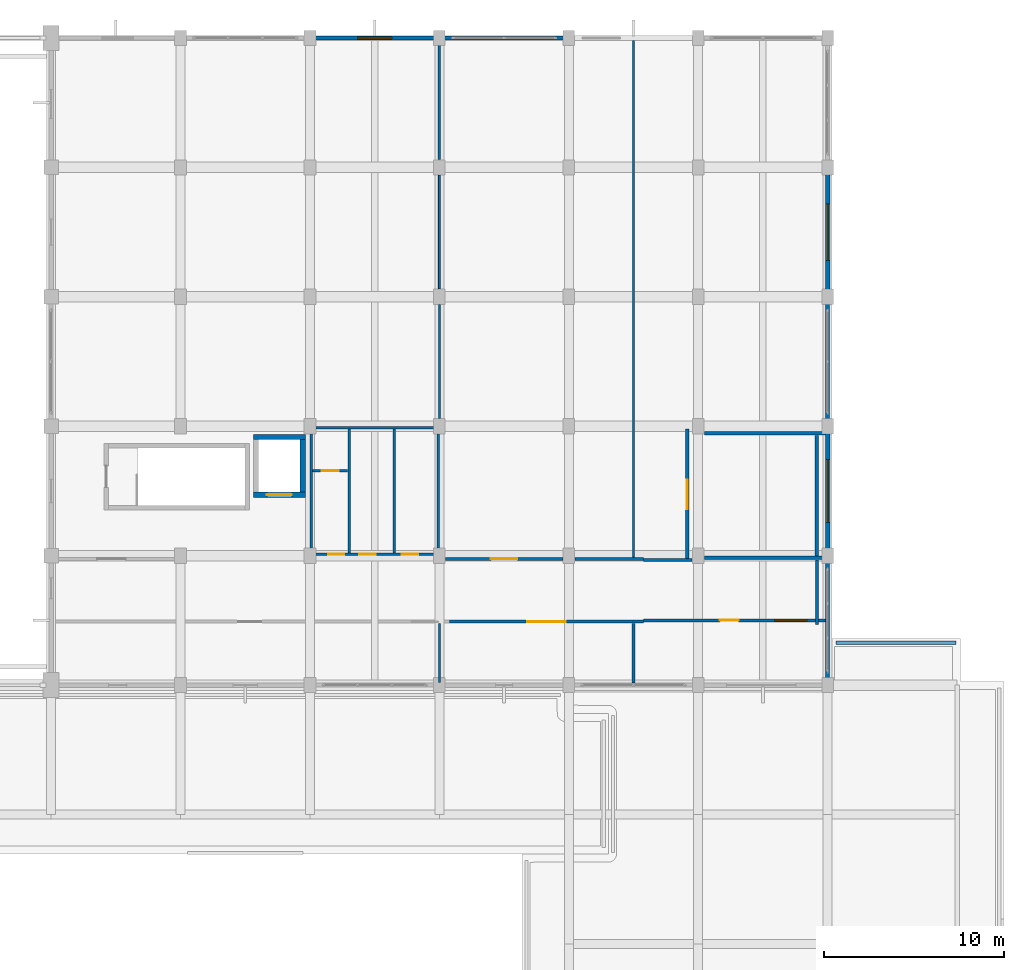
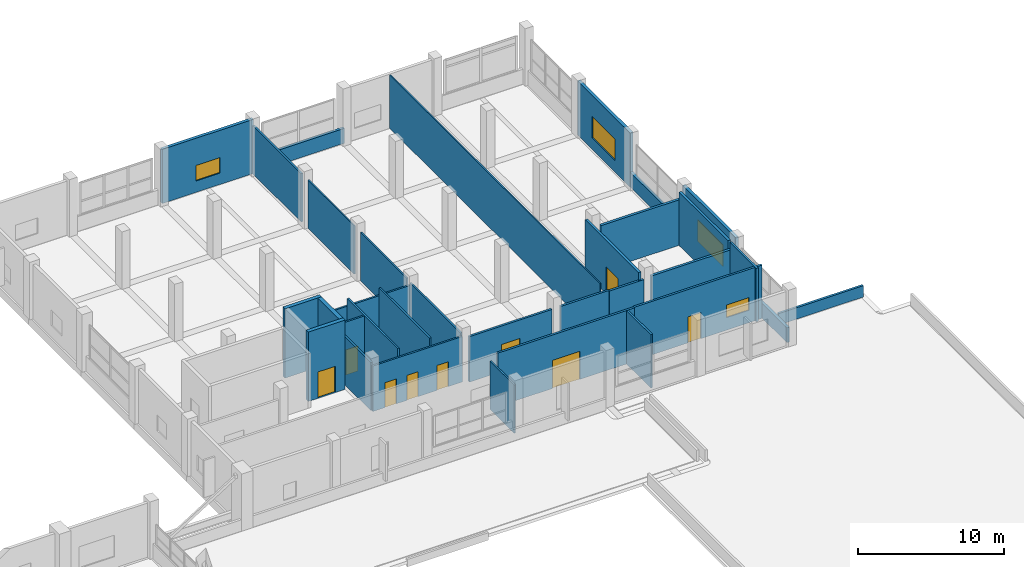
# One storey, part 130 of 140: 33 walls, 9 doors, 4 windows, 13 openings.
"""IFC4 building model written with IfcOpenShell, lengths in metres."""

from ifc_helpers import new_model, si_unit, direction, frame, frame_2d, origin, place, context, subcontext, project, spatial, rectangle, extrude, material, layer, layer_set, type_object, element, fill, save


model = new_model("IFC4")

# Units and contexts
model_context = context("Model", 3, precision=1e-05, world=origin(), true_north=direction((0.0, 1.0)))
body_context = subcontext(model_context, "Body", "Model", "MODEL_VIEW")
ifc_project = project(units=[si_unit("LENGTHUNIT", "METRE"), si_unit("AREAUNIT", "SQUARE_METRE"), si_unit("VOLUMEUNIT", "CUBIC_METRE"), si_unit("PLANEANGLEUNIT", "RADIAN"), si_unit("MASSUNIT", "GRAM", prefix="KILO")], contexts=[model_context])

# Site, building, storey
site_placement = place(None, origin())
site = spatial("IfcSite", under=ifc_project, at=site_placement, CompositionType="ELEMENT")
building_placement = place(site_placement, origin())
building = spatial("IfcBuilding", under=site, at=building_placement, Name="Seraya Terrace Polytechnic", CompositionType="ELEMENT")
storey_placement = place(building_placement, frame((0.0, 0.0, 9.60009765625)))
storey = spatial("IfcBuildingStorey", under=building, at=storey_placement, Name="L02", CompositionType="ELEMENT", Elevation=9.60009765625)

# Wall, opening, window
ifc_material_1 = material(Name="Concrete C40/50", Category="concrete")
ifc_layer_1 = layer(ifc_material_1, 0.239990234375, Name="EW-04")
ifc_layer_set_1 = layer_set([ifc_layer_1], Name="Concrete C40/50")
wall_type_1 = type_object("IfcWallType", Name="EW-04", PredefinedType="SOLIDWALL", material=ifc_layer_set_1)
wall_1_placement = place(storey_placement, frame((158.39990234375, 108.0, 0.0), z_axis=(0.0, 0.0, 1.0), x_axis=(0.0, -1.0, 0.0)))
wall_1 = element("IfcWall", 1, at=wall_1_placement, inside=storey, type_object=wall_type_1, Name="Exterior structural wall EW-04 L02", PredefinedType="SOLIDWALL", context=body_context, shape_type="SweptSolid", body=[
    extrude(rectangle(XDim=7.199951171875, YDim=0.239990234375, at=frame_2d((3.60009765625, 0.0))), origin(), (0.0, 0.0, 1.0), 4.52001953125),
])
opening_1_placement = place(wall_1_placement, frame((2.02490234375, 0.0, 0.949951171875)))
opening_1 = element("IfcOpeningElement", 2, at=opening_1_placement, cuts=wall_1, Name="Opening WN-34", PredefinedType="OPENING", context=body_context, shape_type="SweptSolid", body=[
    extrude(rectangle(XDim=3.14990234375, YDim=1.800048828125, at=frame_2d((1.574951171875, 0.89990234375))), frame((0.0, 0.1318359375, 0.0), z_axis=(0.0, -1.0, 0.0), x_axis=(1.0, 0.0, 0.0)), (0.0, 0.0, 1.0), 0.263916015625),
])
ifc_material_2 = material(Name="Laminated solar-control Low-E double glazing", Category="glass")
window_type_1 = type_object("IfcWindowType", Name="WN-34", PartitioningType="SINGLE_PANEL", PredefinedType="WINDOW", material=ifc_material_2)
window_1_placement = place(opening_1_placement, origin())
window_1 = element("IfcWindow", 3, at=window_1_placement, inside=storey, type_object=window_type_1, Name="Exterior window WN-34 L02", OverallHeight=1.800048828125, OverallWidth=3.14990234375, PartitioningType="SINGLE_PANEL", PredefinedType="WINDOW", context=body_context, shape_type="SweptSolid", body=[
    extrude(rectangle(XDim=3.14990234375, YDim=1.800048828125, at=frame_2d((1.574951171875, 0.89990234375))), frame((0.0, 0.030029296875, 0.0), z_axis=(0.0, -1.0, 0.0), x_axis=(1.0, 0.0, 0.0)), (0.0, 0.0, 1.0), 0.06005859375),
])
fill(opening_1, window_1)

wall_2_placement = place(storey_placement, frame((158.39990234375, 93.60009765625, 0.0), z_axis=(0.0, 0.0, 1.0), x_axis=(0.0, -1.0, 0.0)))
wall_2 = element("IfcWall", 4, at=wall_2_placement, inside=storey, type_object=wall_type_1, Name="Exterior structural wall EW-04 L02", PredefinedType="SOLIDWALL", context=body_context, shape_type="SweptSolid", body=[
    extrude(rectangle(XDim=7.2001953125, YDim=0.239990234375, at=frame_2d((3.60009765625, 0.0))), origin(), (0.0, 0.0, 1.0), 4.52001953125),
])
opening_2_placement = place(wall_2_placement, frame((1.85009765625, 0.0, 0.949951171875)))
opening_2 = element("IfcOpeningElement", 5, at=opening_2_placement, cuts=wall_2, Name="Opening WN-35", PredefinedType="OPENING", context=body_context, shape_type="SweptSolid", body=[
    extrude(rectangle(XDim=3.5, YDim=1.800048828125, at=frame_2d((1.75, 0.89990234375))), frame((0.0, 0.1318359375, 0.0), z_axis=(0.0, -1.0, 0.0), x_axis=(1.0, 0.0, 0.0)), (0.0, 0.0, 1.0), 0.263916015625),
])
window_type_2 = type_object("IfcWindowType", Name="WN-35", PartitioningType="SINGLE_PANEL", PredefinedType="WINDOW", material=ifc_material_2)
window_2_placement = place(opening_2_placement, origin())
window_2 = element("IfcWindow", 6, at=window_2_placement, inside=storey, type_object=window_type_2, Name="Exterior window WN-35 L02", OverallHeight=1.800048828125, OverallWidth=3.5, PartitioningType="SINGLE_PANEL", PredefinedType="WINDOW", context=body_context, shape_type="SweptSolid", body=[
    extrude(rectangle(XDim=3.5, YDim=1.800048828125, at=frame_2d((1.75, 0.89990234375))), frame((0.0, 0.030029296875, 0.0), z_axis=(0.0, -1.0, 0.0), x_axis=(1.0, 0.0, 0.0)), (0.0, 0.0, 1.0), 0.06005859375),
])
fill(opening_2, window_2)

wall_3_placement = place(storey_placement, frame((129.60009765625, 115.199951171875, 0.0), z_axis=(0.0, 0.0, 1.0), x_axis=(1.0, 0.0, 0.0)))
wall_3 = element("IfcWall", 7, at=wall_3_placement, inside=storey, type_object=wall_type_1, Name="Exterior structural wall EW-04 L02", PredefinedType="SOLIDWALL", context=body_context, shape_type="SweptSolid", body=[
    extrude(rectangle(XDim=7.199951171875, YDim=0.239990234375, at=frame_2d((3.60009765625, 0.0))), origin(), (0.0, 0.0, 1.0), 4.52001953125),
])
opening_3_placement = place(wall_3_placement, frame((2.64990234375, 0.0, 0.949951171875)))
opening_3 = element("IfcOpeningElement", 8, at=opening_3_placement, cuts=wall_3, Name="Opening WN-07", PredefinedType="OPENING", context=body_context, shape_type="SweptSolid", body=[
    extrude(rectangle(XDim=1.89990234375, YDim=1.300048828125, at=frame_2d((0.949951171875, 0.64990234375))), frame((0.0, 0.1318359375, 0.0), z_axis=(0.0, -1.0, 0.0), x_axis=(1.0, 0.0, 0.0)), (0.0, 0.0, 1.0), 0.263916015625),
])
window_type_3 = type_object("IfcWindowType", Name="WN-07", PartitioningType="SINGLE_PANEL", PredefinedType="WINDOW", material=ifc_material_2)
window_3_placement = place(opening_3_placement, origin())
window_3 = element("IfcWindow", 9, at=window_3_placement, inside=storey, type_object=window_type_3, Name="Exterior window WN-07 L02", OverallHeight=1.300048828125, OverallWidth=1.89990234375, PartitioningType="SINGLE_PANEL", PredefinedType="WINDOW", context=body_context, shape_type="SweptSolid", body=[
    extrude(rectangle(XDim=1.89990234375, YDim=1.300048828125, at=frame_2d((0.949951171875, 0.64990234375))), frame((0.0, 0.030029296875, 0.0), z_axis=(0.0, -1.0, 0.0), x_axis=(1.0, 0.0, 0.0)), (0.0, 0.0, 1.0), 0.06005859375),
])
fill(opening_3, window_3)

# Walls
ifc_material_3 = material(Name="Precast concrete C40/50", Category="concrete")
ifc_layer_2 = layer(ifc_material_3, 0.219970703125, Name="EW-05")
ifc_layer_set_2 = layer_set([ifc_layer_2], Name="Precast concrete C40/50")
wall_type_2 = type_object("IfcWallType", Name="EW-05", PredefinedType="SOLIDWALL", material=ifc_layer_set_2)
wall_4_placement = place(storey_placement, frame((158.39990234375, 100.800048828125, 0.0), z_axis=(0.0, 0.0, 1.0), x_axis=(0.0, -1.0, 0.0)))
element("IfcWall", 10, at=wall_4_placement, inside=storey, type_object=wall_type_2, Name="Precast spandrel wall L02", PredefinedType="SOLIDWALL", context=body_context, shape_type="SweptSolid", body=[
    extrude(rectangle(XDim=7.199951171875, YDim=0.219970703125, at=frame_2d((3.60009765625, 0.0))), origin(), (0.0, 0.0, 1.0), 1.239990234375),
])
wall_5_placement = place(storey_placement, frame((158.39990234375, 86.39990234375, 0.0), z_axis=(0.0, 0.0, 1.0), x_axis=(0.0, -1.0, 0.0)))
element("IfcWall", 11, at=wall_5_placement, inside=storey, type_object=wall_type_2, Name="Precast spandrel wall L02", PredefinedType="SOLIDWALL", context=body_context, shape_type="SweptSolid", body=[
    extrude(rectangle(XDim=7.0478515625, YDim=0.219970703125, at=frame_2d((3.52392578125, 0.0))), origin(), (0.0, 0.0, 1.0), 1.239990234375),
])
wall_6_placement = place(storey_placement, frame((136.800048828125, 115.199951171875, 0.0), z_axis=(0.0, 0.0, 1.0), x_axis=(1.0, 0.0, 0.0)))
element("IfcWall", 12, at=wall_6_placement, inside=storey, type_object=wall_type_2, Name="Precast spandrel wall L02", PredefinedType="SOLIDWALL", context=body_context, shape_type="SweptSolid", body=[
    extrude(rectangle(XDim=7.199951171875, YDim=0.219970703125, at=frame_2d((3.60009765625, 0.0))), origin(), (0.0, 0.0, 1.0), 1.239990234375),
])
ifc_material_4 = material(Name="Autoclaved aerated concrete blockwork", Category="masonry")
ifc_layer_3 = layer(ifc_material_4, 0.199951171875, Name="PT-01")
ifc_layer_set_3 = layer_set([ifc_layer_3], Name="Autoclaved aerated concrete blockwork")
wall_type_3 = type_object("IfcWallType", Name="PT-01", PredefinedType="PARTITIONING", material=ifc_layer_set_3)
wall_7_placement = place(storey_placement, frame((151.534912109375, 86.27490234375, 0.0), z_axis=(0.0, 0.0, 1.0), x_axis=(1.0, 0.0, 0.0)))
element("IfcWall", 13, at=wall_7_placement, inside=storey, type_object=wall_type_3, Name="Internal partition PT-01 L02", PredefinedType="PARTITIONING", context=body_context, shape_type="SweptSolid", body=[
    extrude(rectangle(XDim=6.7431640625, YDim=0.199951171875, at=frame_2d((3.37158203125, 0.0))), origin(), (0.0, 0.0, 1.0), 3.7998046875),
])
wall_8_placement = place(storey_placement, frame((151.534912109375, 93.199951171875, 0.0), z_axis=(0.0, 0.0, 1.0), x_axis=(1.0, 0.0, 0.0)))
element("IfcWall", 14, at=wall_8_placement, inside=storey, type_object=wall_type_3, Name="Internal partition PT-01 L02", PredefinedType="PARTITIONING", context=body_context, shape_type="SweptSolid", body=[
    extrude(rectangle(XDim=6.733154296875, YDim=0.199951171875, at=frame_2d((3.36669921875, 0.0))), origin(), (0.0, 0.0, 1.0), 3.7998046875),
])
wall_9_placement = place(storey_placement, frame((157.800048828125, 86.389892578125, 0.0), z_axis=(0.0, 0.0, 1.0), x_axis=(0.0, 1.0, 0.0)))
element("IfcWall", 15, at=wall_9_placement, inside=storey, type_object=wall_type_3, Name="Internal partition PT-01 L02", PredefinedType="PARTITIONING", context=body_context, shape_type="SweptSolid", body=[
    extrude(rectangle(XDim=6.695068359375, YDim=0.199951171875, at=frame_2d((3.34765625, 0.0))), origin(), (0.0, 0.0, 1.0), 4.4599609375),
])

# Wall, opening, door
wall_10_placement = place(storey_placement, frame((150.60009765625, 86.159912109375, 0.0), z_axis=(0.0, 0.0, 1.0), x_axis=(0.0, 1.0, 0.0)))
wall_10 = element("IfcWall", 16, at=wall_10_placement, inside=storey, type_object=wall_type_3, Name="Internal partition PT-01 L02", PredefinedType="PARTITIONING", context=body_context, shape_type="SweptSolid", body=[
    extrude(rectangle(XDim=7.280029296875, YDim=0.199951171875, at=frame_2d((3.64013671875, 0.0))), origin(), (0.0, 0.0, 1.0), 4.4599609375),
])
opening_4_placement = place(wall_10_placement, frame((2.820068359375, 0.0, 0.0)))
opening_4 = element("IfcOpeningElement", 17, at=opening_4_placement, cuts=wall_10, Name="Opening FD-03", PredefinedType="OPENING", context=body_context, shape_type="SweptSolid", body=[
    extrude(rectangle(XDim=1.639892578125, YDim=2.239990234375, at=frame_2d((0.81982421875, 1.1201171875))), frame((0.0, 0.11181640625, 0.0), z_axis=(0.0, -1.0, 0.0), x_axis=(1.0, 0.0, 0.0)), (0.0, 0.0, 1.0), 0.223876953125),
])
ifc_material_5 = material(Name="Steel S355J2", Category="steel")
door_type_1 = type_object("IfcDoorType", Name="FD-03", OperationType="DOUBLE_DOOR_SINGLE_SWING", PredefinedType="DOOR", material=ifc_material_5)
door_1_placement = place(opening_4_placement, frame((1.639892578125, 0.0, 0.0), z_axis=(0.0, 0.0, 1.0), x_axis=(-1.0, 0.0, 0.0)))
door_1 = element("IfcDoor", 18, at=door_1_placement, inside=storey, type_object=door_type_1, Name="Door FD-03 DR-INT-L02-0147 in WL-INT-L02-0418", OperationType="DOUBLE_DOOR_SINGLE_SWING", OverallHeight=2.239990234375, OverallWidth=1.639892578125, PredefinedType="DOOR", context=body_context, shape_type="SweptSolid", body=[
    extrude(rectangle(XDim=1.639892578125, YDim=2.239990234375, at=frame_2d((0.81982421875, 1.1201171875))), frame((0.0, 0.02490234375, 0.0), z_axis=(0.0, -1.0, 0.0), x_axis=(1.0, 0.0, 0.0)), (0.0, 0.0, 1.0), 0.050048828125),
])
fill(opening_4, door_1)

ifc_layer_4 = layer(ifc_material_4, 0.169921875, Name="PT-02")
ifc_layer_set_4 = layer_set([ifc_layer_4], Name="Autoclaved aerated concrete blockwork")
wall_type_4 = type_object("IfcWallType", Name="PT-02", PredefinedType="PARTITIONING", material=ifc_layer_set_4)
wall_11_placement = place(storey_placement, frame((137.135009765625, 86.219970703125, 0.0), z_axis=(0.0, 0.0, 1.0), x_axis=(1.0, 0.0, 0.0)))
wall_11 = element("IfcWall", 19, at=wall_11_placement, inside=storey, type_object=wall_type_4, Name="Internal partition PT-02 L02", PredefinedType="PARTITIONING", context=body_context, shape_type="SweptSolid", body=[
    extrude(rectangle(XDim=6.530029296875, YDim=0.169921875, at=frame_2d((3.26513671875, 0.0))), origin(), (0.0, 0.0, 1.0), 3.7998046875),
])
opening_5_placement = place(wall_11_placement, frame((2.52490234375, 0.0, 0.0)))
opening_5 = element("IfcOpeningElement", 20, at=opening_5_placement, cuts=wall_11, Name="Opening ID-11", PredefinedType="OPENING", context=body_context, shape_type="SweptSolid", body=[
    extrude(rectangle(XDim=1.47998046875, YDim=2.260009765625, at=frame_2d((0.739990234375, 1.1298828125))), frame((0.0, 0.096923828125, 0.0), z_axis=(0.0, -1.0, 0.0), x_axis=(1.0, 0.0, 0.0)), (0.0, 0.0, 1.0), 0.19384765625),
])
ifc_material_6 = material(Name="Malaysian dark red meranti hardwood timber D40", Category="wood")
door_type_2 = type_object("IfcDoorType", Name="ID-11", OperationType="DOUBLE_DOOR_SINGLE_SWING", PredefinedType="DOOR", material=ifc_material_6)
door_2_placement = place(opening_5_placement, origin())
door_2 = element("IfcDoor", 21, at=door_2_placement, inside=storey, type_object=door_type_2, Name="Door ID-11 DR-INT-L02-0152 in WL-INT-L02-0484", OperationType="DOUBLE_DOOR_SINGLE_SWING", OverallHeight=2.260009765625, OverallWidth=1.47998046875, PredefinedType="DOOR", context=body_context, shape_type="SweptSolid", body=[
    extrude(rectangle(XDim=1.47998046875, YDim=2.260009765625, at=frame_2d((0.739990234375, 1.1298828125))), frame((0.0, 0.02490234375, 0.0), z_axis=(0.0, -1.0, 0.0), x_axis=(1.0, 0.0, 0.0)), (0.0, 0.0, 1.0), 0.050048828125),
])
fill(opening_5, door_2)

# Wall
wall_12_placement = place(storey_placement, frame((144.3349609375, 86.219970703125, 0.0), z_axis=(0.0, 0.0, 1.0), x_axis=(1.0, 0.0, 0.0)))
element("IfcWall", 22, at=wall_12_placement, inside=storey, type_object=wall_type_4, Name="Internal partition PT-02 L02", PredefinedType="PARTITIONING", context=body_context, shape_type="SweptSolid", body=[
    extrude(rectangle(XDim=3.824951171875, YDim=0.169921875, at=frame_2d((1.91259765625, 0.0))), origin(), (0.0, 0.0, 1.0), 3.7998046875),
])

# Wall, opening, door
wall_13_placement = place(storey_placement, frame((137.360107421875, 82.72998046875, 0.0), z_axis=(0.0, 0.0, 1.0), x_axis=(1.0, 0.0, 0.0)))
wall_13 = element("IfcWall", 23, at=wall_13_placement, inside=storey, type_object=wall_type_4, Name="Internal partition PT-02 L02", PredefinedType="PARTITIONING", context=body_context, shape_type="SweptSolid", body=[
    extrude(rectangle(XDim=10.7998046875, YDim=0.169921875, at=frame_2d((5.39990234375, 0.0))), origin(), (0.0, 0.0, 1.0), 4.4599609375),
])
opening_6_placement = place(wall_13_placement, frame((4.320068359375, 0.0, 0.0)))
opening_6 = element("IfcOpeningElement", 24, at=opening_6_placement, cuts=wall_13, Name="Opening ID-18", PredefinedType="OPENING", context=body_context, shape_type="SweptSolid", body=[
    extrude(rectangle(XDim=2.159912109375, YDim=2.35009765625, at=frame_2d((1.080078125, 1.175048828125))), frame((0.0, 0.096923828125, 0.0), z_axis=(0.0, -1.0, 0.0), x_axis=(1.0, 0.0, 0.0)), (0.0, 0.0, 1.0), 0.19384765625),
])
door_type_3 = type_object("IfcDoorType", Name="ID-18", OperationType="DOUBLE_DOOR_SINGLE_SWING", PredefinedType="DOOR", material=ifc_material_6)
door_3_placement = place(opening_6_placement, frame((2.159912109375, 0.0, 0.0), z_axis=(0.0, 0.0, 1.0), x_axis=(-1.0, 0.0, 0.0)))
door_3 = element("IfcDoor", 25, at=door_3_placement, inside=storey, type_object=door_type_3, Name="Door ID-18 DR-INT-L02-0143 in WL-INT-L02-0486", OperationType="DOUBLE_DOOR_SINGLE_SWING", OverallHeight=2.35009765625, OverallWidth=2.159912109375, PredefinedType="DOOR", context=body_context, shape_type="SweptSolid", body=[
    extrude(rectangle(XDim=2.159912109375, YDim=2.35009765625, at=frame_2d((1.080078125, 1.175048828125))), frame((0.0, 0.02490234375, 0.0), z_axis=(0.0, -1.0, 0.0), x_axis=(1.0, 0.0, 0.0)), (0.0, 0.0, 1.0), 0.050048828125),
])
fill(opening_6, door_3)

# Wall
wall_14_placement = place(storey_placement, frame((157.800048828125, 82.56005859375, 0.0), z_axis=(0.0, 0.0, 1.0), x_axis=(0.0, 1.0, 0.0)))
element("IfcWall", 26, at=wall_14_placement, inside=storey, type_object=wall_type_4, Name="Internal partition PT-02 L02", PredefinedType="PARTITIONING", context=body_context, shape_type="SweptSolid", body=[
    extrude(rectangle(XDim=3.599853515625, YDim=0.169921875, at=frame_2d((1.7998046875, 0.0))), origin(), (0.0, 0.0, 1.0), 4.4599609375),
])

# Wall, openings, door, window
wall_15_placement = place(storey_placement, frame((148.159912109375, 82.800048828125, 0.0), z_axis=(0.0, 0.0, 1.0), x_axis=(1.0, 0.0, 0.0)))
wall_15 = element("IfcWall", 27, at=wall_15_placement, inside=storey, type_object=wall_type_4, Name="Internal partition PT-02 L02", PredefinedType="PARTITIONING", context=body_context, shape_type="SweptSolid", body=[
    extrude(rectangle(XDim=10.1181640625, YDim=0.169921875, at=frame_2d((5.05908203125, 0.0))), origin(), (0.0, 0.0, 1.0), 4.4599609375),
])
opening_7_placement = place(wall_15_placement, frame((4.25, 0.0, 0.0)))
opening_7 = element("IfcOpeningElement", 28, at=opening_7_placement, cuts=wall_15, Name="Opening ID-04", PredefinedType="OPENING", context=body_context, shape_type="SweptSolid", body=[
    extrude(rectangle(XDim=1.0400390625, YDim=2.179931640625, at=frame_2d((0.52001953125, 1.08984375))), frame((0.0, 0.096923828125, 0.0), z_axis=(0.0, -1.0, 0.0), x_axis=(1.0, 0.0, 0.0)), (0.0, 0.0, 1.0), 0.19384765625),
])
opening_8_placement = place(wall_15_placement, frame((7.2900390625, 0.0, 1.050048828125)))
opening_8 = element("IfcOpeningElement", 29, at=opening_8_placement, cuts=wall_15, Name="Opening IW-02", PredefinedType="OPENING", context=body_context, shape_type="SweptSolid", body=[
    extrude(rectangle(XDim=1.800048828125, YDim=1.050048828125, at=frame_2d((0.89990234375, 0.52490234375))), frame((0.0, 0.096923828125, 0.0), z_axis=(0.0, -1.0, 0.0), x_axis=(1.0, 0.0, 0.0)), (0.0, 0.0, 1.0), 0.19384765625),
])
door_type_4 = type_object("IfcDoorType", Name="ID-04", OperationType="NOTDEFINED", PredefinedType="DOOR", material=ifc_material_6)
door_4_placement = place(opening_7_placement, frame((1.0400390625, 0.0, 0.0), z_axis=(0.0, 0.0, 1.0), x_axis=(-1.0, 0.0, 0.0)))
door_4 = element("IfcDoor", 30, at=door_4_placement, inside=storey, type_object=door_type_4, Name="Door ID-04 DR-INT-L02-0145 in WL-INT-L02-0488", OperationType="SINGLE_SWING_RIGHT", OverallHeight=2.179931640625, OverallWidth=1.0400390625, PredefinedType="DOOR", context=body_context, shape_type="SweptSolid", body=[
    extrude(rectangle(XDim=1.0400390625, YDim=2.179931640625, at=frame_2d((0.52001953125, 1.08984375))), frame((0.0, 0.02490234375, 0.0), z_axis=(0.0, -1.0, 0.0), x_axis=(1.0, 0.0, 0.0)), (0.0, 0.0, 1.0), 0.050048828125),
])
fill(opening_7, door_4)
window_type_4 = type_object("IfcWindowType", Name="IW-02", PartitioningType="SINGLE_PANEL", PredefinedType="WINDOW", material=ifc_material_2)
window_4_placement = place(opening_8_placement, origin())
window_4 = element("IfcWindow", 31, at=window_4_placement, inside=storey, type_object=window_type_4, Name="Internal lab vision window IW-02 L02", OverallHeight=1.050048828125, OverallWidth=1.800048828125, PartitioningType="SINGLE_PANEL", PredefinedType="WINDOW", context=body_context, shape_type="SweptSolid", body=[
    extrude(rectangle(XDim=1.800048828125, YDim=1.050048828125, at=frame_2d((0.89990234375, 0.52490234375))), frame((0.0, 0.030029296875, 0.0), z_axis=(0.0, -1.0, 0.0), x_axis=(1.0, 0.0, 0.0)), (0.0, 0.0, 1.0), 0.06005859375),
])
fill(opening_8, window_4)

# Walls
wall_16_placement = place(storey_placement, frame((148.159912109375, 86.14990234375, 0.0), z_axis=(0.0, 0.0, 1.0), x_axis=(1.0, 0.0, 0.0)))
element("IfcWall", 32, at=wall_16_placement, inside=storey, type_object=wall_type_4, Name="Internal partition PT-02 L02", PredefinedType="PARTITIONING", context=body_context, shape_type="SweptSolid", body=[
    extrude(rectangle(XDim=2.705078125, YDim=0.169921875, at=frame_2d((1.3525390625, 0.0))), origin(), (0.0, 0.0, 1.0), 3.7998046875),
])
ifc_layer_5 = layer(ifc_material_4, 0.14990234375, Name="PT-03")
ifc_layer_set_5 = layer_set([ifc_layer_5], Name="Autoclaved aerated concrete blockwork")
wall_type_5 = type_object("IfcWallType", Name="PT-03", PredefinedType="PARTITIONING", material=ifc_layer_set_5)
wall_17_placement = place(storey_placement, frame((136.800048828125, 108.43505859375, 0.0), z_axis=(0.0, 0.0, 1.0), x_axis=(0.0, 1.0, 0.0)))
element("IfcWall", 33, at=wall_17_placement, inside=storey, type_object=wall_type_5, Name="Internal partition PT-03 L02", PredefinedType="PARTITIONING", context=body_context, shape_type="SweptSolid", body=[
    extrude(rectangle(XDim=6.633056640625, YDim=0.14990234375, at=frame_2d((3.31640625, 0.0))), origin(), (0.0, 0.0, 1.0), 4.02978515625),
])
wall_18_placement = place(storey_placement, frame((147.60009765625, 79.322021484375, 0.0), z_axis=(0.0, 0.0, 1.0), x_axis=(0.0, 1.0, 0.0)))
element("IfcWall", 34, at=wall_18_placement, inside=storey, type_object=wall_type_5, Name="Internal partition PT-03 L02", PredefinedType="PARTITIONING", context=body_context, shape_type="SweptSolid", body=[
    extrude(rectangle(XDim=3.307861328125, YDim=0.14990234375, at=frame_2d((1.65380859375, 0.0))), origin(), (0.0, 0.0, 1.0), 4.4599609375),
])

# Wall, openings, doors
ifc_layer_6 = layer(ifc_material_4, 0.139892578125, Name="PT-04")
ifc_layer_set_6 = layer_set([ifc_layer_6], Name="Autoclaved aerated concrete blockwork")
wall_type_6 = type_object("IfcWallType", Name="PT-04", PredefinedType="PARTITIONING", material=ifc_layer_set_6)
wall_19_placement = place(storey_placement, frame((129.669921875, 86.469970703125, 0.0), z_axis=(0.0, 0.0, 1.0), x_axis=(1.0, 0.0, 0.0)))
wall_19 = element("IfcWall", 35, at=wall_19_placement, inside=storey, type_object=wall_type_6, Name="Sanitary WC-C South wall L02", PredefinedType="PARTITIONING", context=body_context, shape_type="SweptSolid", body=[
    extrude(rectangle(XDim=7.06005859375, YDim=0.139892578125, at=frame_2d((3.530029296875, 0.0))), origin(), (0.0, 0.0, 1.0), 3.7998046875),
])
opening_9_placement = place(wall_19_placement, frame((0.949951171875, 0.0, 0.0)))
opening_9 = element("IfcOpeningElement", 36, at=opening_9_placement, cuts=wall_19, Name="Opening ID-02", PredefinedType="OPENING", context=body_context, shape_type="SweptSolid", body=[
    extrude(rectangle(XDim=0.89990234375, YDim=2.080078125, at=frame_2d((0.449951171875, 1.0400390625))), frame((0.0, 0.08203125, 0.0), z_axis=(0.0, -1.0, 0.0), x_axis=(1.0, 0.0, 0.0)), (0.0, 0.0, 1.0), 0.163818359375),
])
opening_10_placement = place(wall_19_placement, frame((2.679931640625, 0.0, 0.0)))
opening_10 = element("IfcOpeningElement", 37, at=opening_10_placement, cuts=wall_19, Name="Opening ID-02", PredefinedType="OPENING", context=body_context, shape_type="SweptSolid", body=[
    extrude(rectangle(XDim=0.89990234375, YDim=2.080078125, at=frame_2d((0.449951171875, 1.0400390625))), frame((0.0, 0.08203125, 0.0), z_axis=(0.0, -1.0, 0.0), x_axis=(1.0, 0.0, 0.0)), (0.0, 0.0, 1.0), 0.163818359375),
])
opening_11_placement = place(wall_19_placement, frame((5.050048828125, 0.0, 0.0)))
opening_11 = element("IfcOpeningElement", 38, at=opening_11_placement, cuts=wall_19, Name="Opening ID-02", PredefinedType="OPENING", context=body_context, shape_type="SweptSolid", body=[
    extrude(rectangle(XDim=0.89990234375, YDim=2.080078125, at=frame_2d((0.449951171875, 1.0400390625))), frame((0.0, 0.08203125, 0.0), z_axis=(0.0, -1.0, 0.0), x_axis=(1.0, 0.0, 0.0)), (0.0, 0.0, 1.0), 0.163818359375),
])
door_type_5 = type_object("IfcDoorType", Name="ID-02", OperationType="NOTDEFINED", PredefinedType="DOOR", material=ifc_material_6)
door_5_placement = place(opening_9_placement, origin())
door_5 = element("IfcDoor", 39, at=door_5_placement, inside=storey, type_object=door_type_5, Name="Door ID-02 DR-WC-WC-C-L02-CLN in WL-WC-WC-C-L02-S", OperationType="SINGLE_SWING_LEFT", OverallHeight=2.080078125, OverallWidth=0.89990234375, PredefinedType="DOOR", context=body_context, shape_type="SweptSolid", body=[
    extrude(rectangle(XDim=0.89990234375, YDim=2.080078125, at=frame_2d((0.449951171875, 1.0400390625))), frame((0.0, 0.02490234375, 0.0), z_axis=(0.0, -1.0, 0.0), x_axis=(1.0, 0.0, 0.0)), (0.0, 0.0, 1.0), 0.050048828125),
])
fill(opening_9, door_5)
door_6_placement = place(opening_10_placement, origin())
door_6 = element("IfcDoor", 40, at=door_6_placement, inside=storey, type_object=door_type_5, Name="Door ID-02 DR-WC-WC-C-L02-M in WL-WC-WC-C-L02-S", OperationType="SINGLE_SWING_RIGHT", OverallHeight=2.080078125, OverallWidth=0.89990234375, PredefinedType="DOOR", context=body_context, shape_type="SweptSolid", body=[
    extrude(rectangle(XDim=0.89990234375, YDim=2.080078125, at=frame_2d((0.449951171875, 1.0400390625))), frame((0.0, 0.02490234375, 0.0), z_axis=(0.0, -1.0, 0.0), x_axis=(1.0, 0.0, 0.0)), (0.0, 0.0, 1.0), 0.050048828125),
])
fill(opening_10, door_6)
door_7_placement = place(opening_11_placement, origin())
door_7 = element("IfcDoor", 41, at=door_7_placement, inside=storey, type_object=door_type_5, Name="Door ID-02 DR-WC-WC-C-L02-F in WL-WC-WC-C-L02-S", OperationType="SINGLE_SWING_LEFT", OverallHeight=2.080078125, OverallWidth=0.89990234375, PredefinedType="DOOR", context=body_context, shape_type="SweptSolid", body=[
    extrude(rectangle(XDim=0.89990234375, YDim=2.080078125, at=frame_2d((0.449951171875, 1.0400390625))), frame((0.0, 0.02490234375, 0.0), z_axis=(0.0, -1.0, 0.0), x_axis=(1.0, 0.0, 0.0)), (0.0, 0.0, 1.0), 0.050048828125),
])
fill(opening_11, door_7)

# Walls
wall_20_placement = place(storey_placement, frame((129.669921875, 93.530029296875, 0.0), z_axis=(0.0, 0.0, 1.0), x_axis=(1.0, 0.0, 0.0)))
element("IfcWall", 42, at=wall_20_placement, inside=storey, type_object=wall_type_6, Name="Sanitary WC-C North wall L02", PredefinedType="PARTITIONING", context=body_context, shape_type="SweptSolid", body=[
    extrude(rectangle(XDim=7.06005859375, YDim=0.139892578125, at=frame_2d((3.530029296875, 0.0))), origin(), (0.0, 0.0, 1.0), 3.7998046875),
])
for number, where, z_axis, x_axis, name in (
    (43, (129.669921875, 86.550048828125, 0.0), (0.0, 0.0, 1.0), (0.0, 1.0, 0.0), "Sanitary WC-C West wall L02"),
    (44, (136.72998046875, 86.550048828125, 0.0), (0.0, 0.0, 1.0), (0.0, 1.0, 0.0), "Sanitary WC-C East wall L02"),
):
    element("IfcWall", number, at=place(storey_placement, frame(where, z_axis=z_axis, x_axis=x_axis)), inside=storey, type_object=wall_type_6, Name=name, PredefinedType="PARTITIONING", context=body_context, shape_type="SweptSolid", body=[
        extrude(rectangle(XDim=6.89990234375, YDim=0.139892578125, at=frame_2d((3.449951171875, 0.0))), origin(), (0.0, 0.0, 1.0), 4.02978515625),
    ])
for number, where, z_axis, x_axis, name in (
    (45, (131.780029296875, 86.550048828125, 0.0), (0.0, 0.0, 1.0), (0.0, 1.0, 0.0), "Sanitary WC-C OKU/Male divider L02"),
    (46, (134.2900390625, 86.550048828125, 0.0), (0.0, 0.0, 1.0), (0.0, 1.0, 0.0), "Sanitary WC-C Male/Female divider L02"),
):
    element("IfcWall", number, at=place(storey_placement, frame(where, z_axis=z_axis, x_axis=x_axis)), inside=storey, type_object=wall_type_6, Name=name, PredefinedType="PARTITIONING", context=body_context, shape_type="SweptSolid", body=[
        extrude(rectangle(XDim=6.89990234375, YDim=0.139892578125, at=frame_2d((3.449951171875, 0.0))), origin(), (0.0, 0.0, 1.0), 4.4599609375),
    ])

# Wall, opening, door
wall_21_placement = place(storey_placement, frame((129.75, 91.1201171875, 0.0), z_axis=(0.0, 0.0, 1.0), x_axis=(1.0, 0.0, 0.0)))
wall_21 = element("IfcWall", 47, at=wall_21_placement, inside=storey, type_object=wall_type_6, Name="Sanitary WC-C OKU/Cleaner divider L02", PredefinedType="PARTITIONING", context=body_context, shape_type="SweptSolid", body=[
    extrude(rectangle(XDim=1.949951171875, YDim=0.139892578125, at=frame_2d((0.97509765625, 0.0))), origin(), (0.0, 0.0, 1.0), 4.4599609375),
])
opening_12_placement = place(wall_21_placement, frame((0.5, 0.0, 0.0)))
opening_12 = element("IfcOpeningElement", 48, at=opening_12_placement, cuts=wall_21, Name="Opening ID-01", PredefinedType="OPENING", context=body_context, shape_type="SweptSolid", body=[
    extrude(rectangle(XDim=0.93994140625, YDim=2.10009765625, at=frame_2d((0.469970703125, 1.050048828125))), frame((0.0, 0.08203125, 0.0), z_axis=(0.0, -1.0, 0.0), x_axis=(1.0, 0.0, 0.0)), (0.0, 0.0, 1.0), 0.163818359375),
])
door_type_6 = type_object("IfcDoorType", Name="ID-01", OperationType="NOTDEFINED", PredefinedType="DOOR", material=ifc_material_6)
door_8_placement = place(opening_12_placement, frame((0.93994140625, 0.0, 0.0), z_axis=(0.0, 0.0, 1.0), x_axis=(-1.0, 0.0, 0.0)))
door_8 = element("IfcDoor", 49, at=door_8_placement, inside=storey, type_object=door_type_6, Name="Door ID-01 DR-WC-WC-C-L02-OKU in WL-WC-WC-C-L02-DH", OperationType="SINGLE_SWING_RIGHT", OverallHeight=2.10009765625, OverallWidth=0.93994140625, PredefinedType="DOOR", context=body_context, shape_type="SweptSolid", body=[
    extrude(rectangle(XDim=0.93994140625, YDim=2.10009765625, at=frame_2d((0.469970703125, 1.050048828125))), frame((0.0, 0.02490234375, 0.0), z_axis=(0.0, -1.0, 0.0), x_axis=(1.0, 0.0, 0.0)), (0.0, 0.0, 1.0), 0.050048828125),
])
fill(opening_12, door_8)

# Walls
ifc_layer_7 = layer(ifc_material_4, 0.1201171875, Name="PT-05")
ifc_layer_set_7 = layer_set([ifc_layer_7], Name="Autoclaved aerated concrete blockwork")
wall_type_7 = type_object("IfcWallType", Name="PT-05", PredefinedType="PARTITIONING", material=ifc_layer_set_7)
wall_22_placement = place(storey_placement, frame((136.800048828125, 94.034912109375, 0.0), z_axis=(0.0, 0.0, 1.0), x_axis=(0.0, 1.0, 0.0)))
element("IfcWall", 50, at=wall_22_placement, inside=storey, type_object=wall_type_7, Name="Internal partition PT-05 L02", PredefinedType="PARTITIONING", context=body_context, shape_type="SweptSolid", body=[
    extrude(rectangle(XDim=6.330078125, YDim=0.1201171875, at=frame_2d((3.1650390625, 0.0))), origin(), (0.0, 0.0, 1.0), 4.02978515625),
])
wall_23_placement = place(storey_placement, frame((136.800048828125, 79.33203125, 0.0), z_axis=(0.0, 0.0, 1.0), x_axis=(0.0, 1.0, 0.0)))
element("IfcWall", 51, at=wall_23_placement, inside=storey, type_object=wall_type_7, Name="Internal partition PT-05 L02", PredefinedType="PARTITIONING", context=body_context, shape_type="SweptSolid", body=[
    extrude(rectangle(XDim=3.2978515625, YDim=0.1201171875, at=frame_2d((1.64892578125, 0.0))), origin(), (0.0, 0.0, 1.0), 4.02978515625),
])
ifc_layer_8 = layer(ifc_material_4, 0.10009765625, Name="PT-06")
ifc_layer_set_8 = layer_set([ifc_layer_8], Name="Autoclaved aerated concrete blockwork")
wall_type_8 = type_object("IfcWallType", Name="PT-06", PredefinedType="PARTITIONING", material=ifc_layer_set_8)
wall_24_placement = place(storey_placement, frame((136.800048828125, 101.235107421875, 0.0), z_axis=(0.0, 0.0, 1.0), x_axis=(0.0, 1.0, 0.0)))
element("IfcWall", 52, at=wall_24_placement, inside=storey, type_object=wall_type_8, Name="Internal partition PT-06 L02", PredefinedType="PARTITIONING", context=body_context, shape_type="SweptSolid", body=[
    extrude(rectangle(XDim=6.329833984375, YDim=0.10009765625, at=frame_2d((3.1650390625, 0.0))), origin(), (0.0, 0.0, 1.0), 4.02978515625),
])
wall_25_placement = place(storey_placement, frame((147.60009765625, 86.320068359375, 0.0), z_axis=(0.0, 0.0, 1.0), x_axis=(0.0, 1.0, 0.0)))
element("IfcWall", 53, at=wall_25_placement, inside=storey, type_object=wall_type_8, Name="Internal partition PT-06 L02", PredefinedType="PARTITIONING", context=body_context, shape_type="SweptSolid", body=[
    extrude(rectangle(XDim=28.748046875, YDim=0.10009765625, at=frame_2d((14.3740234375, 0.0))), origin(), (0.0, 0.0, 1.0), 4.4599609375),
])
ifc_layer_9 = layer(ifc_material_3, 0.179931640625, Name="PW-P2")
ifc_layer_set_9 = layer_set([ifc_layer_9], Name="Precast concrete C40/50")
wall_type_9 = type_object("IfcWallType", Name="PW-P2", PredefinedType="PARAPET", material=ifc_layer_set_9)
wall_26_placement = place(storey_placement, frame((158.85009765625, 81.550048828125, 0.0), z_axis=(0.0, 0.0, 1.0), x_axis=(1.0, 0.0, 0.0)))
element("IfcWall", 54, at=wall_26_placement, inside=storey, type_object=wall_type_9, Name="Roof parapet ROOF-L02-EAST 7.1", PredefinedType="PARAPET", context=body_context, shape_type="SweptSolid", body=[
    extrude(rectangle(XDim=6.699951171875, YDim=0.179931640625, at=frame_2d((3.35009765625, 0.0))), origin(), (0.0, 0.0, 1.0), 0.949951171875),
])

# Wall, opening, door
ifc_layer_10 = layer(ifc_material_1, 0.300048828125, Name="SW-01")
ifc_layer_set_10 = layer_set([ifc_layer_10], Name="Concrete C40/50")
wall_type_10 = type_object("IfcWallType", Name="SW-01", PredefinedType="SHEAR", material=ifc_layer_set_10)
wall_27_placement = place(storey_placement, frame((126.449951171875, 89.800048828125, 0.0), z_axis=(0.0, 0.0, 1.0), x_axis=(1.0, 0.0, 0.0)))
wall_27 = element("IfcWall", 55, at=wall_27_placement, inside=storey, type_object=wall_type_10, Name="Lift shaft GL-01 South wall L02", PredefinedType="SHEAR", context=body_context, shape_type="SweptSolid", body=[
    extrude(rectangle(XDim=2.900146484375, YDim=0.300048828125, at=frame_2d((1.4501953125, 0.0))), origin(), (0.0, 0.0, 1.0), 5.789794921875),
])
opening_13_placement = place(wall_27_placement, frame((0.75, 0.0, 0.0)))
opening_13 = element("IfcOpeningElement", 56, at=opening_13_placement, cuts=wall_27, Name="Opening LD-02", PredefinedType="OPENING", context=body_context, shape_type="SweptSolid", body=[
    extrude(rectangle(XDim=1.39990234375, YDim=2.199951171875, at=frame_2d((0.699951171875, 1.10009765625))), frame((0.0, 0.162109375, 0.0), z_axis=(0.0, -1.0, 0.0), x_axis=(1.0, 0.0, 0.0)), (0.0, 0.0, 1.0), 0.323974609375),
])
door_type_7 = type_object("IfcDoorType", Name="LD-02", OperationType="SLIDING_TO_RIGHT", PredefinedType="DOOR", material=ifc_material_5)
door_9_placement = place(opening_13_placement, frame((1.39990234375, 0.0, 0.0), z_axis=(0.0, 0.0, 1.0), x_axis=(-1.0, 0.0, 0.0)))
door_9 = element("IfcDoor", 57, at=door_9_placement, inside=storey, type_object=door_type_7, Name="Door LD-02 LD-GL-01-L02 in WL-SHF-GL-01-L02-S", OperationType="SLIDING_TO_LEFT", OverallHeight=2.199951171875, OverallWidth=1.39990234375, PredefinedType="DOOR", context=body_context, shape_type="SweptSolid", body=[
    extrude(rectangle(XDim=1.39990234375, YDim=2.199951171875, at=frame_2d((0.699951171875, 1.10009765625))), frame((0.0, 0.02490234375, 0.0), z_axis=(0.0, -1.0, 0.0), x_axis=(1.0, 0.0, 0.0)), (0.0, 0.0, 1.0), 0.050048828125),
])
fill(opening_13, door_9)

# Walls
for number, where, z_axis, x_axis, name in (
    (58, (126.449951171875, 93.0, 0.0), (0.0, 0.0, 1.0), (1.0, 0.0, 0.0), "Lift shaft GL-01 North wall L02"),
    (59, (129.199951171875, 89.949951171875, 0.0), (0.0, 0.0, 1.0), (0.0, 1.0, 0.0), "Lift shaft GL-01 East wall L02"),
):
    element("IfcWall", number, at=place(storey_placement, frame(where, z_axis=z_axis, x_axis=x_axis)), inside=storey, type_object=wall_type_10, Name=name, PredefinedType="SHEAR", context=body_context, shape_type="SweptSolid", body=[
        extrude(rectangle(XDim=2.900146484375, YDim=0.300048828125, at=frame_2d((1.4501953125, 0.0))), origin(), (0.0, 0.0, 1.0), 5.789794921875),
    ])

save(model, "model.ifc")
